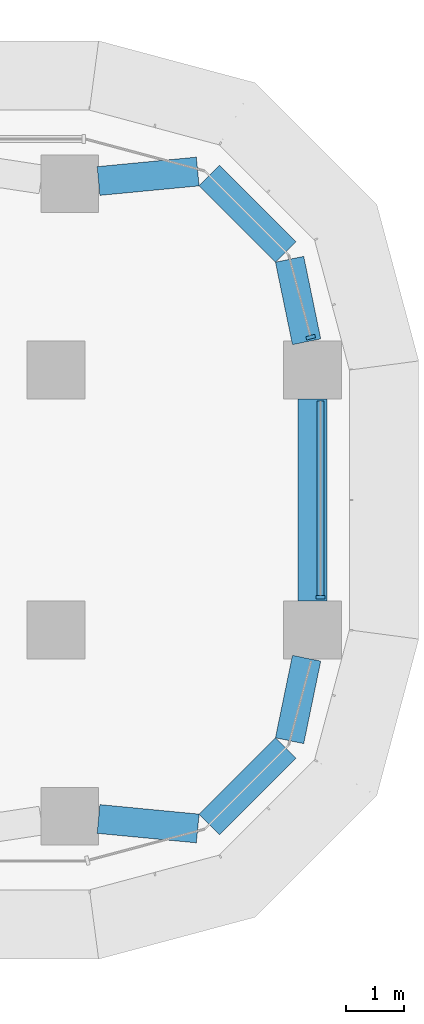
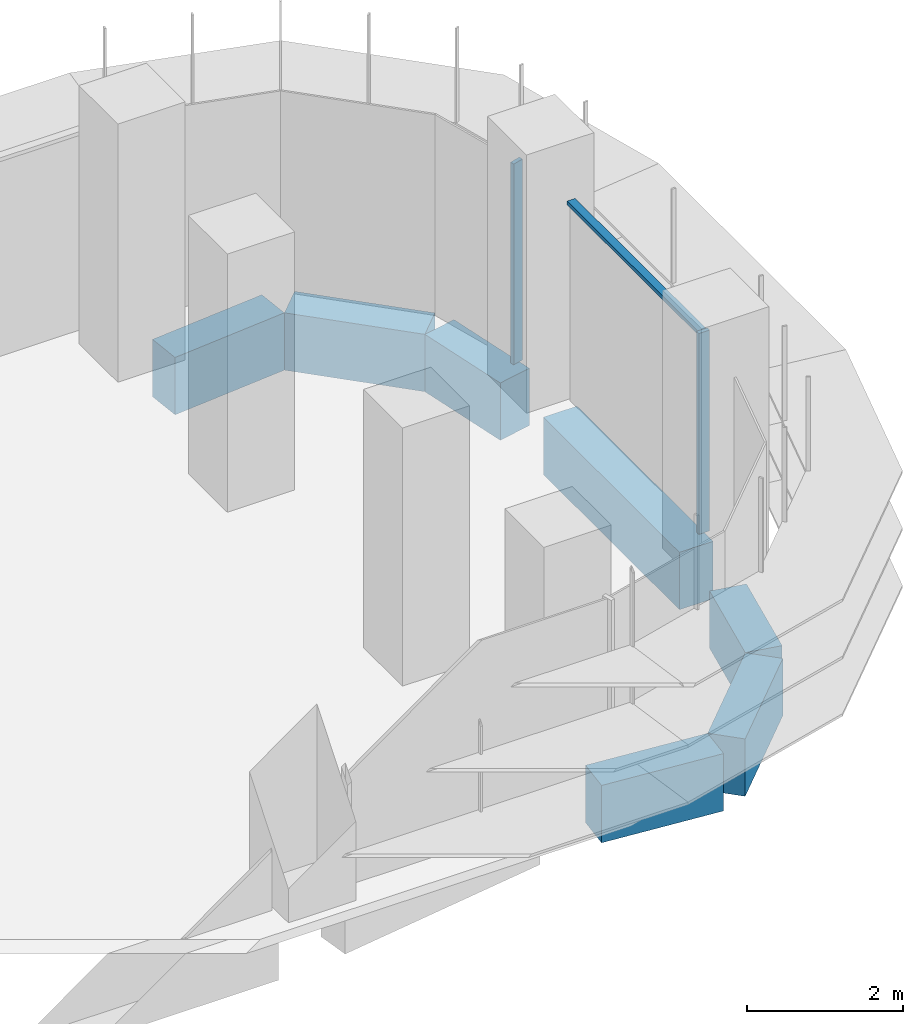
# One storey, part 11 of 23: 7 beams, 3 members, 2 elements without a shape of their own.
"""IFC4 building model written with IfcOpenShell, lengths in metres."""

from ifc_helpers import new_model, si_unit, direction, frame, origin, origin_2d, place, context, subcontext, project, spatial, polyline, rectangle, outline, extrude, source, transform, mapped, material, material_profile, profile_set, type_object, element, aggregate, save


model = new_model("IFC4")

# Units and contexts
model_context = context("Model", 3, precision=1e-05, world=origin(), true_north=direction((0.0, 1.0)))
body_context = subcontext(model_context, "Body", "Model", "MODEL_VIEW")
ifc_project = project(units=[si_unit("LENGTHUNIT", "METRE"), si_unit("AREAUNIT", "SQUARE_METRE"), si_unit("VOLUMEUNIT", "CUBIC_METRE"), si_unit("PLANEANGLEUNIT", "RADIAN"), si_unit("MASSUNIT", "GRAM", prefix="KILO")], contexts=[model_context])

# Site, building, storey
site_placement = place(None, origin())
site = spatial("IfcSite", under=ifc_project, at=site_placement, CompositionType="ELEMENT")
building_placement = place(site_placement, origin())
building = spatial("IfcBuilding", under=site, at=building_placement, Name="Zarbagh Exchange Tower", CompositionType="ELEMENT")
storey_placement = place(building_placement, frame((0.0, 0.0, 69.0)))
storey = spatial("IfcBuildingStorey", under=building, at=storey_placement, Name="L15", CompositionType="ELEMENT", Elevation=69.0)

# Beams
ifc_material_1 = material(Name="Concrete C60/75", Category="concrete")
ifc_material_profile = material_profile(ifc_material_1, rectangle(XDim=0.5, YDim=0.89990234375, at=origin_2d()), Name="RC spandrel beam 500 x 900 C60/75")
ifc_profile_set = profile_set([ifc_material_profile], Name="Concrete C60/75")
beam_type = type_object("IfcBeamType", Name="RC spandrel beam 500 x 900 C60/75", PredefinedType="SPANDREL", material=ifc_profile_set)
beam_1_placement = place(storey_placement, frame((29.40576171875, 5.522705078125, -0.60009765625), z_axis=(0.995431032456, 0.095483294999, 0.0), x_axis=(-0.095483294999, 0.995431032456, 0.0)))
element("IfcBeam", 1, at=beam_1_placement, inside=storey, type_object=beam_type, Name="RC spandrel beam", PredefinedType="SPANDREL", context=body_context, shape_type="SweptSolid", body=[
    extrude(rectangle(XDim=0.5, YDim=0.89990234375, at=origin_2d()), origin(), (0.0, 0.0, 1.0), 1.725830078125),
])
beam_2_placement = place(storey_placement, frame((31.324462890625, 5.615478515625, -0.60009765625), z_axis=(0.707172099812, -0.707041456527, 0.0), x_axis=(0.707041456527, 0.707172099812, 0.0)))
element("IfcBeam", 2, at=beam_2_placement, inside=storey, type_object=beam_type, Name="RC spandrel beam", PredefinedType="SPANDREL", context=body_context, shape_type="SweptSolid", body=[
    extrude(rectangle(XDim=0.5, YDim=0.89990234375, at=origin_2d()), origin(), (0.0, 0.0, 1.0), 1.86865234375),
])
beam_3_placement = place(storey_placement, frame((32.714111328125, 4.16796875, -0.60009765625), z_axis=(0.202068589164, -0.9793713725, 0.0), x_axis=(0.9793713725, 0.202068589164, 0.0)))
element("IfcBeam", 3, at=beam_3_placement, inside=storey, type_object=beam_type, Name="RC spandrel beam", PredefinedType="SPANDREL", context=body_context, shape_type="SweptSolid", body=[
    extrude(rectangle(XDim=0.5, YDim=0.89990234375, at=origin_2d()), origin(), (0.0, 0.0, 1.0), 1.458251953125),
])
beam_4_placement = place(storey_placement, frame((33.110107421875, 1.75, -0.60009765625), z_axis=(0.0, -1.0, 0.0), x_axis=(1.0, 0.0, 0.0)))
element("IfcBeam", 4, at=beam_4_placement, inside=storey, type_object=beam_type, Name="RC spandrel beam", PredefinedType="SPANDREL", context=body_context, shape_type="SweptSolid", body=[
    extrude(rectangle(XDim=0.5, YDim=0.89990234375, at=origin_2d()), origin(), (0.0, 0.0, 1.0), 3.5),
])
beam_5_placement = place(storey_placement, frame((33.0087890625, -2.73974609375, -0.60009765625), z_axis=(-0.202068589164, -0.9793713725, 0.0), x_axis=(0.9793713725, -0.202068589164, 0.0)))
element("IfcBeam", 5, at=beam_5_placement, inside=storey, type_object=beam_type, Name="RC spandrel beam", PredefinedType="SPANDREL", context=body_context, shape_type="SweptSolid", body=[
    extrude(rectangle(XDim=0.5, YDim=0.89990234375, at=origin_2d()), origin(), (0.0, 0.0, 1.0), 1.458251953125),
])
beam_6_placement = place(storey_placement, frame((32.64599609375, -4.294189453125, -0.60009765625), z_axis=(-0.707172099812, -0.707041456527, 0.0), x_axis=(0.707041456527, -0.707172099812, 0.0)))
element("IfcBeam", 6, at=beam_6_placement, inside=storey, type_object=beam_type, Name="RC spandrel beam", PredefinedType="SPANDREL", context=body_context, shape_type="SweptSolid", body=[
    extrude(rectangle(XDim=0.5, YDim=0.89990234375, at=origin_2d()), origin(), (0.0, 0.0, 1.0), 1.86865234375),
])
beam_7_placement = place(storey_placement, frame((31.123779296875, -5.6875, -0.60009765625), z_axis=(-0.995431032456, 0.095483294999, 0.0), x_axis=(-0.095483294999, -0.995431032456, 0.0)))
element("IfcBeam", 7, at=beam_7_placement, inside=storey, type_object=beam_type, Name="RC spandrel beam", PredefinedType="SPANDREL", context=body_context, shape_type="SweptSolid", body=[
    extrude(rectangle(XDim=0.5, YDim=0.89990234375, at=origin_2d()), origin(), (0.0, 0.0, 1.0), 1.725830078125),
])

# Curtain wall, member
ifc_material_2 = material(Name="Anodised aluminium frame and glazing", Category="aluminium")
curtain_wall_type = type_object("IfcCurtainWallType", Name="CWA Ribbon glazing, lower zones", PredefinedType="NOTDEFINED", material=ifc_material_2)
curtain_wall_1_placement = place(storey_placement, origin())
curtain_wall_1 = element("IfcCurtainWall", 8, at=curtain_wall_1_placement, inside=storey, type_object=curtain_wall_type, Name="CWA12 curtain wall", PredefinedType="NOTDEFINED")
ifc_material_3 = material(Name="Anodised aluminium frame", Category="aluminium")
member_type_1 = type_object("IfcMemberType", Name="MUA Mullion, anodised aluminium frame", PredefinedType="MULLION", material=ifc_material_3)
shared_shape_1 = source(origin(), body_context, "Body", "SweptSolid", [
    extrude(outline(polyline([(0.0, -0.080078125), (0.06005859375, -0.080078125), (0.06005859375, 0.080078125), (0.0, 0.080078125), (0.0, -0.080078125)])), origin(), (0.0, 0.0, 1.0), 3.14990234375),
])
placement = place(storey_placement, origin())
member_1 = element("IfcMember", 9, at=placement, type_object=member_type_1, Name="CWA12 mullion 1.1", PredefinedType="MULLION", context=body_context, shape_type="MappedRepresentation", body=[
    mapped(shared_shape_1, transform((33.25, -1.7099609375, 0.0), x_axis=(0.0, 1.0, 0.0), y_axis=(-1.0, 0.0, 0.0), z_axis=(0.0, 0.0, 1.0))),
])

curtain_wall_2_placement = place(storey_placement, origin())
curtain_wall_2 = element("IfcCurtainWall", 10, at=curtain_wall_2_placement, inside=storey, type_object=curtain_wall_type, Name="CWA13 curtain wall", PredefinedType="NOTDEFINED")
member_2 = element("IfcMember", 11, at=placement, type_object=member_type_1, Name="CWA13 mullion 1.1", PredefinedType="MULLION", context=body_context, shape_type="MappedRepresentation", body=[
    mapped(shared_shape_1, transform((33.087646484375, 2.7900390625, 0.0), x_axis=(-0.258824779902, 0.965924289636, 0.0), y_axis=(-0.965924289636, -0.258824779902, 0.0), z_axis=(0.0, 0.0, 1.0))),
])
aggregate(curtain_wall_2, [member_2])

# Member
member_type_2 = type_object("IfcMemberType", Name="TRA Transom, anodised aluminium frame", PredefinedType="USERDEFINED", material=ifc_material_3)
shared_shape_2 = source(origin(), body_context, "Body", "SweptSolid", [
    extrude(outline(polyline([(-0.06005859375, -0.06005859375), (0.0, -0.06005859375), (0.0, 0.06005859375), (-0.06005859375, 0.06005859375), (-0.06005859375, -0.06005859375)])), origin(), (0.0, 0.0, 1.0), 3.360107421875),
])
member_3 = element("IfcMember", 12, at=placement, type_object=member_type_2, Name="CWA12 transom 1.1", ObjectType="TRANSOM", PredefinedType="USERDEFINED", context=body_context, shape_type="MappedRepresentation", body=[
    mapped(shared_shape_2, transform((33.25, -1.64990234375, 3.14990234375), x_axis=(0.0, 0.0, 1.0), y_axis=(1.0, 0.0, 0.0), z_axis=(0.0, 1.0, 0.0))),
])

aggregate(curtain_wall_1, [member_1, member_3])

save(model, "model.ifc")
